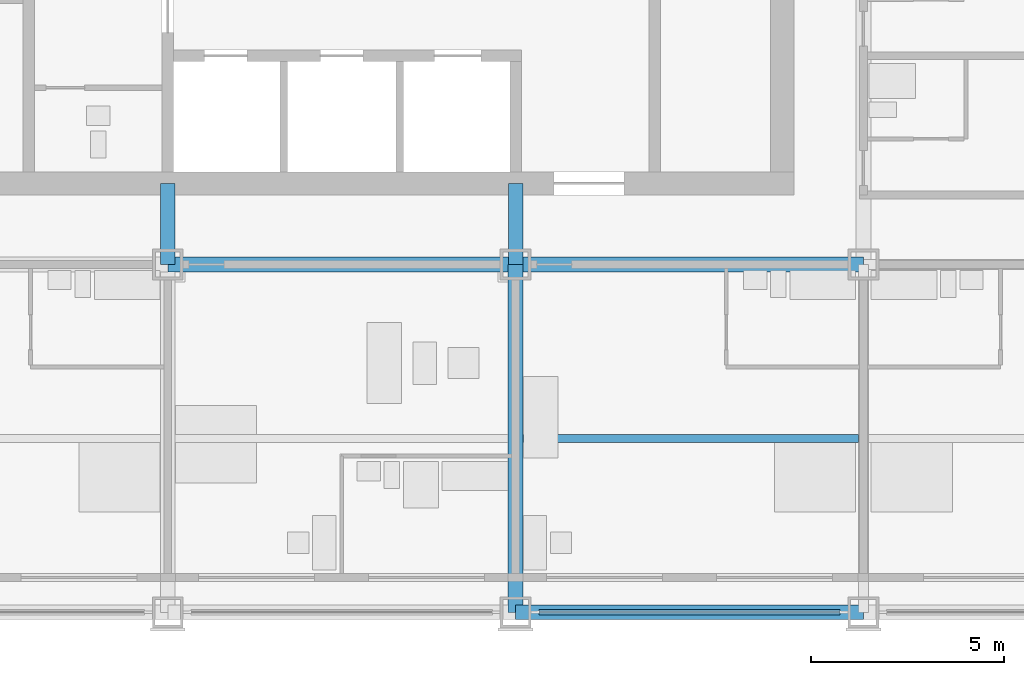
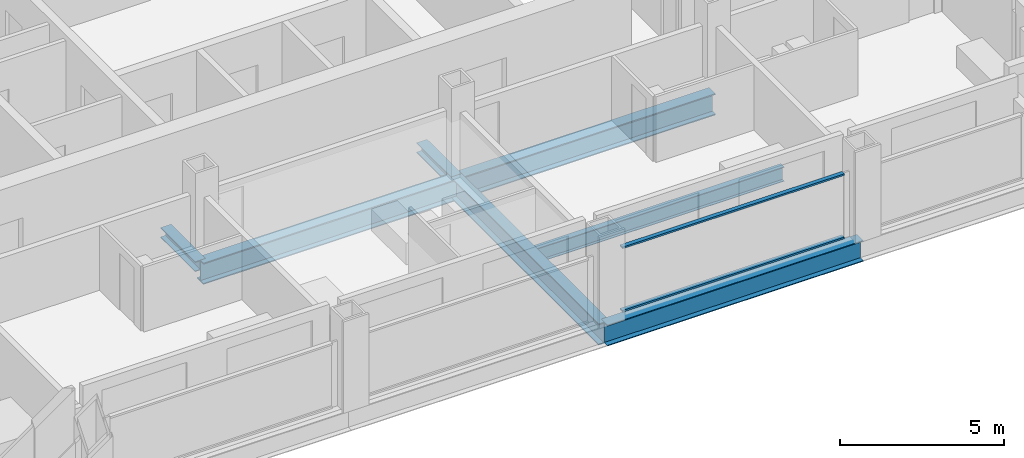
# One storey, part 3 of 16: 5 beams, 4 members, 1 element without a shape of its own.
"""IFC4 building model written with IfcOpenShell, lengths in metres."""

from ifc_helpers import new_model, si_unit, direction, frame, origin, origin_2d, place, context, subcontext, project, spatial, rectangle, i_section, extrude, material, material_profile, profile_set, type_object, element, aggregate, save


model = new_model("IFC4")

# Units and contexts
model_context = context("Model", 3, precision=1e-05, world=origin(), true_north=direction((0.0, 1.0)))
body_context = subcontext(model_context, "Body", "Model", "MODEL_VIEW")
ifc_project = project(units=[si_unit("LENGTHUNIT", "METRE"), si_unit("AREAUNIT", "SQUARE_METRE"), si_unit("VOLUMEUNIT", "CUBIC_METRE"), si_unit("PLANEANGLEUNIT", "RADIAN"), si_unit("MASSUNIT", "GRAM", prefix="KILO")], contexts=[model_context])

# Site, building, storey
site_placement = place(None, origin())
site = spatial("IfcSite", under=ifc_project, at=site_placement, CompositionType="ELEMENT")
building_placement = place(site_placement, origin())
building = spatial("IfcBuilding", under=site, at=building_placement, Name="Loomwork Tower", CompositionType="ELEMENT")
storey_placement = place(building_placement, frame((0.0, 0.0, 114.60009765625)))
storey = spatial("IfcBuildingStorey", under=building, at=storey_placement, Name="L30", CompositionType="ELEMENT", Elevation=114.60009765625)

# Beams
ifc_material_1 = material(Name="Steel ASTM A992", Category="steel")
ifc_material_profile_1 = material_profile(ifc_material_1, i_section(OverallWidth=0.383544921875, OverallDepth=0.794921875, WebThickness=0.02099609375, FlangeThickness=0.0380859375, at=origin_2d()), Name="W30x235")
ifc_profile_set_1 = profile_set([ifc_material_profile_1], Name="Steel ASTM A992")
beam_type_1 = type_object("IfcBeamType", Name="CORE FLANK GIRDER W30x235", PredefinedType="BEAM", material=ifc_profile_set_1)
for number, where, z_axis, x_axis, name in (
    (1, (18.0, 9.0, -0.59765625), (1.0, 0.0, 0.0), (0.0, 1.0, 0.0), "Core Flank Girder E/4-E/5 L30"),
    (2, (27.0, 9.0, -0.59765625), (1.0, 0.0, 0.0), (0.0, 1.0, 0.0), "Core Flank Girder E/5-E/6 L30"),
    (3, (27.0, 0.0, -0.59765625), (0.0, 1.0, 0.0), (-1.0, 0.0, 0.0), "Core Flank Girder D/5-E/5 L30"),
):
    element("IfcBeam", number, at=place(storey_placement, frame(where, z_axis=z_axis, x_axis=x_axis)), inside=storey, type_object=beam_type_1, Name=name, PredefinedType="BEAM", context=body_context, shape_type="SweptSolid", body=[
        extrude(i_section(OverallWidth=0.383544921875, OverallDepth=0.794921875, WebThickness=0.02099609375, FlangeThickness=0.0380859375, at=origin_2d()), origin(), (0.0, 0.0, 1.0), 9.0),
    ])

# Members
ifc_material_2 = material(Name="Steel ASTM A992", Category="steel")
ifc_material_profile_2 = material_profile(ifc_material_2, i_section(OverallWidth=0.373291015625, OverallDepth=0.373291015625, WebThickness=0.016357421875, FlangeThickness=0.026123046875, at=origin_2d()), Name="W14x132")
ifc_profile_set_2 = profile_set([ifc_material_profile_2], Name="Steel ASTM A992")
member_type_1 = type_object("IfcMemberType", Name="CORE LINK STRUT W14x132", PredefinedType="STRUT", material=ifc_profile_set_2)
for number, where, z_axis, x_axis, name in (
    (4, (27.0, 9.0, -0.38671875), (0.0, 1.0, 0.0), (-1.0, 0.0, 0.0), "Core link strut E/5-27.000,11.100 L30"),
    (5, (18.0, 9.0, -0.38671875), (0.0, 1.0, 0.0), (-1.0, 0.0, 0.0), "Core link strut E/4-18.000,11.100 L30"),
):
    element("IfcMember", number, at=place(storey_placement, frame(where, z_axis=z_axis, x_axis=x_axis)), inside=storey, type_object=member_type_1, Name=name, PredefinedType="STRUT", context=body_context, shape_type="SweptSolid", body=[
        extrude(i_section(OverallWidth=0.373291015625, OverallDepth=0.373291015625, WebThickness=0.016357421875, FlangeThickness=0.026123046875, at=origin_2d()), origin(), (0.0, 0.0, 1.0), 2.10009765625),
    ])

# Beam
ifc_material_3 = material(Name="Steel ASTM A992", Category="steel")
ifc_material_profile_3 = material_profile(ifc_material_3, i_section(OverallWidth=0.2109375, OverallDepth=0.53857421875, WebThickness=0.011474609375, FlangeThickness=0.018798828125, at=origin_2d()), Name="W21x73")
ifc_profile_set_3 = profile_set([ifc_material_profile_3], Name="Steel ASTM A992")
beam_type_2 = type_object("IfcBeamType", Name="FLOOR JOIST W21x73", PredefinedType="JOIST", material=ifc_profile_set_3)
beam_1_placement = place(storey_placement, frame((27.19091796875, 4.5, -0.46923828125), z_axis=(1.0, 0.0, 0.0), x_axis=(0.0, 1.0, 0.0)))
element("IfcBeam", 6, at=beam_1_placement, inside=storey, type_object=beam_type_2, Name="Floor Joist 27.000,4.500-36.000,4.500 L30", PredefinedType="JOIST", context=body_context, shape_type="SweptSolid", body=[
    extrude(i_section(OverallWidth=0.2109375, OverallDepth=0.53857421875, WebThickness=0.011474609375, FlangeThickness=0.018798828125, at=origin_2d()), origin(), (0.0, 0.0, 1.0), 8.676025390625),
])

# Curtain wall, members
ifc_material_4 = material(Name="Aluminium curtain wall frame", Category="aluminium")
curtain_wall_type = type_object("IfcCurtainWallType", Name="Outer skin glazing hotel", PredefinedType="NOTDEFINED", material=ifc_material_4)
curtain_wall_placement = place(storey_placement, origin())
curtain_wall = element("IfcCurtainWall", 7, at=curtain_wall_placement, inside=storey, type_object=curtain_wall_type, Name="Outer skin glazing hotel cw/S-27", PredefinedType="NOTDEFINED")
ifc_material_5 = material(Name="Aluminium curtain wall frame", Category="aluminium")
ifc_material_profile_4 = material_profile(ifc_material_5, rectangle(XDim=0.14990234375, YDim=0.06494140625, at=origin_2d()), Name="AL 65x150")
ifc_profile_set_4 = profile_set([ifc_material_profile_4], Name="Aluminium curtain wall frame")
member_type_2 = type_object("IfcMemberType", Name="Outer skin glazing hotel transom", PredefinedType="USERDEFINED", material=ifc_profile_set_4)
member_1_placement = place(storey_placement, frame((27.60009765625, 0.0, 0.032470703125), z_axis=(1.0, 0.0, 0.0), x_axis=(0.0, 1.0, 0.0)))
member_1 = element("IfcMember", 8, at=member_1_placement, type_object=member_type_2, Name="CW1 transom 1.1", ObjectType="TRANSOM", PredefinedType="USERDEFINED", context=body_context, shape_type="SweptSolid", body=[
    extrude(rectangle(XDim=0.14990234375, YDim=0.06494140625, at=origin_2d()), origin(), (0.0, 0.0, 1.0), 7.7998046875),
])
member_2_placement = place(storey_placement, frame((27.60009765625, 0.0, 2.3876953125), z_axis=(1.0, 0.0, 0.0), x_axis=(0.0, 1.0, 0.0)))
member_2 = element("IfcMember", 9, at=member_2_placement, type_object=member_type_2, Name="CW1 transom 1.2", ObjectType="TRANSOM", PredefinedType="USERDEFINED", context=body_context, shape_type="SweptSolid", body=[
    extrude(rectangle(XDim=0.14990234375, YDim=0.06494140625, at=origin_2d()), origin(), (0.0, 0.0, 1.0), 7.7998046875),
])
aggregate(curtain_wall, [member_1, member_2])

# Beam
ifc_material_6 = material(Name="Steel ASTM A992", Category="steel")
ifc_material_profile_5 = material_profile(ifc_material_6, i_section(OverallWidth=0.381103515625, OverallDepth=0.77978515625, WebThickness=0.01806640625, FlangeThickness=0.0302734375, at=origin_2d()), Name="W30x191")
ifc_profile_set_5 = profile_set([ifc_material_profile_5], Name="Steel ASTM A992")
beam_type_3 = type_object("IfcBeamType", Name="SPANDREL GIRDER W30x191", PredefinedType="SPANDREL", material=ifc_profile_set_5)
beam_2_placement = place(storey_placement, frame((27.0, 0.0, -0.590087890625), z_axis=(1.0, 0.0, 0.0), x_axis=(0.0, 1.0, 0.0)))
element("IfcBeam", 10, at=beam_2_placement, inside=storey, type_object=beam_type_3, Name="Spandrel Girder D/5-D/6 L30", PredefinedType="SPANDREL", context=body_context, shape_type="SweptSolid", body=[
    extrude(i_section(OverallWidth=0.381103515625, OverallDepth=0.77978515625, WebThickness=0.01806640625, FlangeThickness=0.0302734375, at=origin_2d()), origin(), (0.0, 0.0, 1.0), 9.0),
])

save(model, "model.ifc")
